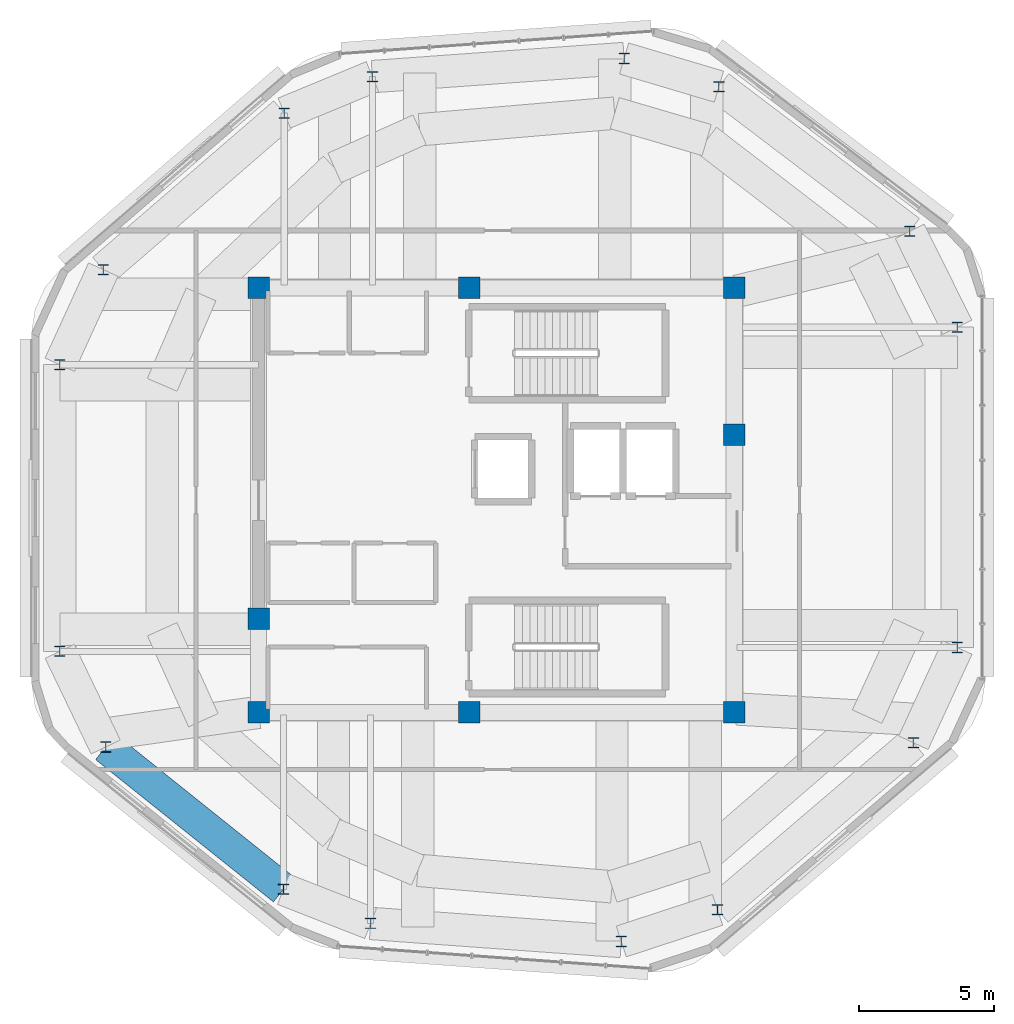
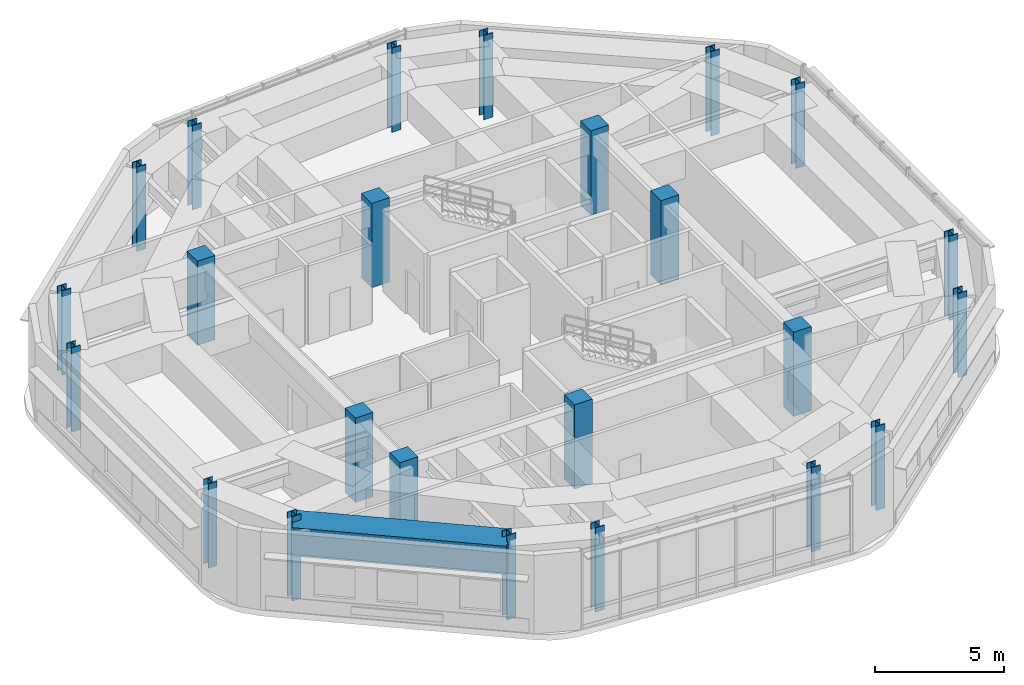
# One storey, part 1 of 12: 24 columns, 1 beam.
"""IFC4 building model written with IfcOpenShell, lengths in metres."""

from ifc_helpers import new_model, si_unit, direction, frame, origin, origin_2d, place, context, subcontext, project, spatial, rectangle, i_section, extrude, material, material_profile, profile_set, type_object, element, save


model = new_model("IFC4")

# Units and contexts
model_context = context("Model", 3, precision=1e-05, world=origin(), true_north=direction((0.0, 1.0)))
body_context = subcontext(model_context, "Body", "Model", "MODEL_VIEW")
ifc_project = project(units=[si_unit("LENGTHUNIT", "METRE"), si_unit("AREAUNIT", "SQUARE_METRE"), si_unit("VOLUMEUNIT", "CUBIC_METRE"), si_unit("PLANEANGLEUNIT", "RADIAN"), si_unit("MASSUNIT", "GRAM", prefix="KILO")], contexts=[model_context])

# Site, building, storey
site_placement = place(None, origin())
site = spatial("IfcSite", under=ifc_project, at=site_placement, CompositionType="ELEMENT")
building_placement = place(site_placement, origin())
building = spatial("IfcBuilding", under=site, at=building_placement, Name="Zulverin Broadcast Headquarters", CompositionType="ELEMENT")
storey_placement = place(building_placement, frame((0.0, 0.0, 325.39990234375)))
storey = spatial("IfcBuildingStorey", under=building, at=storey_placement, Name="C4", CompositionType="ELEMENT", Elevation=325.39990234375)

# Columns
ifc_material_1 = material(Name="Structural steel S355JR", Category="steel")
ifc_material_profile_1 = material_profile(ifc_material_1, i_section(OverallWidth=0.39892578125, OverallDepth=0.3935546875, WebThickness=0.022705078125, FlangeThickness=0.03662109375, at=origin_2d()), Name="Structural steel S355JR", Category="steel")
ifc_profile_set_1 = profile_set([ifc_material_profile_1], Name="Structural steel S355JR")
column_type_1 = type_object("IfcColumnType", Name="COL-UC-287", PredefinedType="COLUMN", material=ifc_profile_set_1)
for number, where, z_axis, x_axis, name in (
    (1, (34.783447265625, 9.493408203125, 0.0), (0.0, 0.0, 1.0), (1.0, 0.0, 0.0), "C4 Perimeter Column T01"),
    (2, (44.08349609375, 8.823974609375, 0.0), (0.0, 0.0, 1.0), (1.0, 0.0, 0.0), "C4 Perimeter Column T02"),
    (3, (47.6552734375, 9.9970703125, 0.0), (0.0, 0.0, 1.0), (1.0, 0.0, 0.0), "C4 Perimeter Column T03"),
    (4, (54.9208984375, 16.197998046875, 0.0), (0.0, 0.0, 1.0), (1.0, 0.0, 0.0), "C4 Perimeter Column T04"),
    (5, (56.550048828125, 19.72998046875, 0.0), (0.0, 0.0, 1.0), (1.0, 0.0, 0.0), "C4 Perimeter Column T05"),
    (6, (56.550048828125, 31.613037109375, 0.0), (0.0, 0.0, 1.0), (1.0, 0.0, 0.0), "C4 Perimeter Column T06"),
    (7, (54.783203125, 35.1708984375, 0.0), (0.0, 0.0, 1.0), (1.0, 0.0, 0.0), "C4 Perimeter Column T07"),
    (8, (47.706298828125, 40.53955078125, 0.0), (0.0, 0.0, 1.0), (1.0, 0.0, 0.0), "C4 Perimeter Column T08"),
    (9, (44.189453125, 41.58349609375, 0.0), (0.0, 0.0, 1.0), (1.0, 0.0, 0.0), "C4 Perimeter Column T09"),
    (10, (34.85009765625, 40.91162109375, 0.0), (0.0, 0.0, 1.0), (1.0, 0.0, 0.0), "C4 Perimeter Column T10"),
    (11, (31.581298828125, 39.558837890625, 0.0), (0.0, 0.0, 1.0), (1.0, 0.0, 0.0), "C4 Perimeter Column T11"),
    (12, (24.86376953125, 33.751220703125, 0.0), (0.0, 0.0, 1.0), (1.0, 0.0, 0.0), "C4 Perimeter Column T12"),
    (13, (23.25, 30.222412109375, 0.0), (0.0, 0.0, 1.0), (1.0, 0.0, 0.0), "C4 Perimeter Column T13"),
    (14, (23.25, 19.58740234375, 0.0), (0.0, 0.0, 1.0), (1.0, 0.0, 0.0), "C4 Perimeter Column T14"),
    (15, (24.9541015625, 16.040283203125, 0.0), (0.0, 0.0, 1.0), (1.0, 0.0, 0.0), "C4 Perimeter Column T15"),
    (16, (31.54931640625, 10.760498046875, 0.0), (0.0, 0.0, 1.0), (1.0, 0.0, 0.0), "C4 Perimeter Column T16"),
):
    element("IfcColumn", number, at=place(storey_placement, frame(where, z_axis=z_axis, x_axis=x_axis)), inside=storey, type_object=column_type_1, Name=name, PredefinedType="COLUMN", context=body_context, shape_type="SweptSolid", body=[
        extrude(i_section(OverallWidth=0.39892578125, OverallDepth=0.3935546875, WebThickness=0.022705078125, FlangeThickness=0.03662109375, at=origin_2d()), origin(), (0.0, 0.0, 1.0), 4.0),
    ])
ifc_material_2 = material(Name="Concrete C50/60", Category="concrete")
ifc_material_profile_2 = material_profile(ifc_material_2, rectangle(XDim=0.800048828125, YDim=0.800048828125, at=origin_2d()), Name="Concrete C50/60", Category="concrete")
ifc_profile_set_2 = profile_set([ifc_material_profile_2], Name="Concrete C50/60")
column_type_2 = type_object("IfcColumnType", Name="PIL-RC-800", PredefinedType="PILASTER", material=ifc_profile_set_2)
for number, where, z_axis, x_axis, name in (
    (17, (30.625, 17.324951171875, 0.0), (0.0, 0.0, 1.0), (1.0, 0.0, 0.0), "C4 Core Pilaster K01"),
    (18, (38.449951171875, 17.324951171875, 0.0), (0.0, 0.0, 1.0), (1.0, 0.0, 0.0), "C4 Core Pilaster K02"),
    (19, (48.27490234375, 17.324951171875, 0.0), (0.0, 0.0, 1.0), (1.0, 0.0, 0.0), "C4 Core Pilaster K03"),
    (20, (48.27490234375, 27.6201171875, 0.0), (0.0, 0.0, 1.0), (1.0, 0.0, 0.0), "C4 Core Pilaster K04"),
    (21, (48.27490234375, 33.074951171875, 0.0), (0.0, 0.0, 1.0), (1.0, 0.0, 0.0), "C4 Core Pilaster K05"),
    (22, (38.449951171875, 33.074951171875, 0.0), (0.0, 0.0, 1.0), (1.0, 0.0, 0.0), "C4 Core Pilaster K06"),
    (23, (30.625, 33.074951171875, 0.0), (0.0, 0.0, 1.0), (1.0, 0.0, 0.0), "C4 Core Pilaster K07"),
    (24, (30.625, 20.800048828125, 0.0), (0.0, 0.0, 1.0), (1.0, 0.0, 0.0), "C4 Core Pilaster K08"),
):
    element("IfcColumn", number, at=place(storey_placement, frame(where, z_axis=z_axis, x_axis=x_axis)), inside=storey, type_object=column_type_2, Name=name, PredefinedType="PILASTER", context=body_context, shape_type="SweptSolid", body=[
        extrude(rectangle(XDim=0.800048828125, YDim=0.800048828125, at=origin_2d()), origin(), (0.0, 0.0, 1.0), 4.0),
    ])

# Beam
ifc_material_profile_3 = material_profile(ifc_material_2, rectangle(XDim=1.199951171875, YDim=1.35009765625, at=origin_2d()), Name="Concrete C50/60", Category="concrete")
ifc_profile_set_3 = profile_set([ifc_material_profile_3], Name="Concrete C50/60")
beam_type = type_object("IfcBeamType", Name="BM-TG-CRN-1350", PredefinedType="USERDEFINED", material=ifc_profile_set_3)
beam_placement = place(storey_placement, frame((24.9541015625, 16.040283203125, 3.045166015625), z_axis=(0.780660133876, -0.624955802739, 0.0), x_axis=(0.624955802739, 0.780660133876, 0.0)))
element("IfcBeam", 25, at=beam_placement, inside=storey, type_object=beam_type, Name="C4 Perimeter Transfer Ring Girder SP-15", ObjectType="TRANSFER GIRDER", PredefinedType="USERDEFINED", context=body_context, shape_type="SweptSolid", body=[
    extrude(rectangle(XDim=1.199951171875, YDim=1.35009765625, at=origin_2d()), origin(), (0.0, 0.0, 1.0), 8.4482421875),
])

save(model, "model.ifc")
